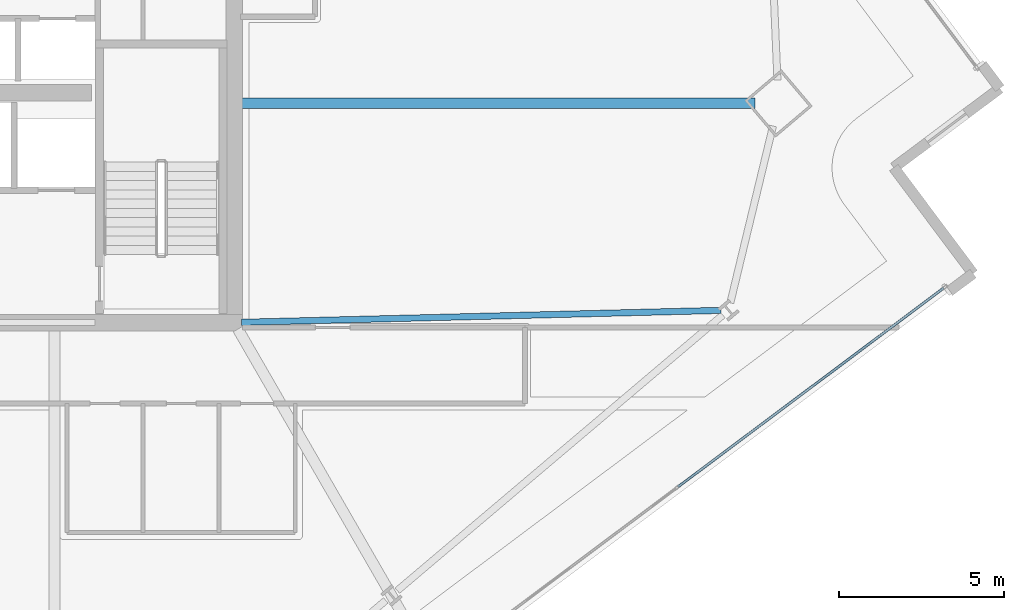
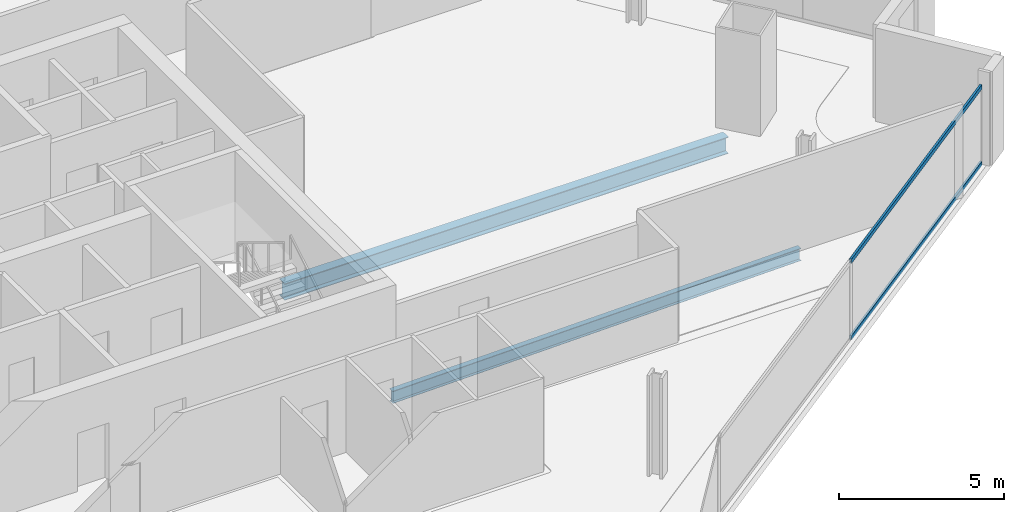
# One storey, part 10 of 32: 2 beams, 2 members, 1 element without a shape of its own.
"""IFC4 building model written with IfcOpenShell, lengths in metres."""

from ifc_helpers import new_model, si_unit, direction, frame, origin, origin_2d, place, context, subcontext, project, spatial, hollow_rectangle, i_section, extrude, material, material_profile, profile_set, type_object, element, aggregate, save


model = new_model("IFC4")

# Units and contexts
model_context = context("Model", 3, precision=1e-05, world=origin(), true_north=direction((0.0, 1.0)))
body_context = subcontext(model_context, "Body", "Model", "MODEL_VIEW")
ifc_project = project(units=[si_unit("LENGTHUNIT", "METRE"), si_unit("AREAUNIT", "SQUARE_METRE"), si_unit("VOLUMEUNIT", "CUBIC_METRE"), si_unit("PLANEANGLEUNIT", "RADIAN"), si_unit("MASSUNIT", "GRAM", prefix="KILO")], contexts=[model_context])

# Site, building, storey
site_placement = place(None, origin())
site = spatial("IfcSite", under=ifc_project, at=site_placement, CompositionType="ELEMENT")
building_placement = place(site_placement, origin())
building = spatial("IfcBuilding", under=site, at=building_placement, Name="Haldenkirk Collegiate Tower", CompositionType="ELEMENT")
storey_placement = place(building_placement, frame((0.0, 0.0, 151.949951171875)))
storey = spatial("IfcBuildingStorey", under=building, at=storey_placement, Name="L37", CompositionType="ELEMENT", Elevation=151.949951171875)

# Beams
ifc_material_1 = material(Name="Steel ASTM A992 Grade 50", Category="steel")
ifc_material_profile_1 = material_profile(ifc_material_1, i_section(OverallWidth=0.324951171875, OverallDepth=0.615966796875, WebThickness=0.013916015625, FlangeThickness=0.021484375, at=origin_2d()), Name="W24X117")
ifc_profile_set_1 = profile_set([ifc_material_profile_1], Name="Steel ASTM A992 Grade 50")
beam_type_1 = type_object("IfcBeamType", Name="BM-GIRDER-W24X117", PredefinedType="BEAM", material=ifc_profile_set_1)
beam_1_placement = place(storey_placement, frame((60.760009765625, 24.62890625, -0.597900390625), z_axis=(-1.0, 0.0, 0.0), x_axis=(0.0, -1.0, 0.0)))
element("IfcBeam", 1, at=beam_1_placement, inside=storey, type_object=beam_type_1, Name="L37 primary floor girder 02", PredefinedType="BEAM", context=body_context, shape_type="SweptSolid", body=[
    extrude(i_section(OverallWidth=0.324951171875, OverallDepth=0.615966796875, WebThickness=0.013916015625, FlangeThickness=0.021484375, at=origin_2d()), origin(), (0.0, 0.0, 1.0), 15.530029296875),
])
ifc_material_profile_2 = material_profile(ifc_material_1, i_section(OverallWidth=0.18994140625, OverallDepth=0.45703125, WebThickness=0.009033203125, FlangeThickness=0.014404296875, at=origin_2d()), Name="W18X50")
ifc_profile_set_2 = profile_set([ifc_material_profile_2], Name="Steel ASTM A992 Grade 50")
beam_type_2 = type_object("IfcBeamType", Name="BM-JOIST-W18X50", PredefinedType="JOIST", material=ifc_profile_set_2)
beam_2_placement = place(storey_placement, frame((59.727294921875, 18.3671875, -0.5185546875), z_axis=(-0.999689127321, -0.024932884215, 0.0), x_axis=(0.024932884215, -0.999689127321, 0.0)))
element("IfcBeam", 2, at=beam_2_placement, inside=storey, type_object=beam_type_2, Name="L37 composite floor joist 07", PredefinedType="JOIST", context=body_context, shape_type="SweptSolid", body=[
    extrude(i_section(OverallWidth=0.18994140625, OverallDepth=0.45703125, WebThickness=0.009033203125, FlangeThickness=0.014404296875, at=origin_2d()), origin(), (0.0, 0.0, 1.0), 14.501708984375),
])

# Curtain wall, members
ifc_material_2 = material(Name="Anodised architectural bronze aluminium", Category="aluminium")
curtain_wall_type = type_object("IfcCurtainWallType", Name="CW-SYS2-CONCAVE", PredefinedType="USERDEFINED", material=ifc_material_2)
curtain_wall_placement = place(storey_placement, origin())
curtain_wall = element("IfcCurtainWall", 3, at=curtain_wall_placement, inside=storey, type_object=curtain_wall_type, Name="L37 South concave recessed bronze-anodised curtain wall", ObjectType="UNITISED CURTAIN WALL", PredefinedType="USERDEFINED")
ifc_material_profile_3 = material_profile(ifc_material_2, hollow_rectangle(XDim=0.074951171875, YDim=0.159912109375, WallThickness=0.0048828125, at=origin_2d()), Name="CW-TRN-02")
ifc_profile_set_3 = profile_set([ifc_material_profile_3], Name="Anodised architectural bronze aluminium")
member_type = type_object("IfcMemberType", Name="CW-TRN-02", PredefinedType="USERDEFINED", material=ifc_profile_set_3)
member_1_placement = place(storey_placement, frame((66.463623046875, 19.041748046875, 0.03759765625), z_axis=(-0.800732007408, -0.599022747743, 0.0), x_axis=(0.599022747743, -0.800732007408, 0.0)))
member_1 = element("IfcMember", 4, at=member_1_placement, type_object=member_type, Name="CW-02 transom 1.1", ObjectType="TRANSOM", PredefinedType="USERDEFINED", context=body_context, shape_type="SweptSolid", body=[
    extrude(hollow_rectangle(XDim=0.074951171875, YDim=0.159912109375, WallThickness=0.0048828125, at=origin_2d()), origin(), (0.0, 0.0, 1.0), 10.03759765625),
])
member_2_placement = place(storey_placement, frame((66.463623046875, 19.041748046875, 2.87353515625), z_axis=(-0.800732007408, -0.599022747743, 0.0), x_axis=(0.599022747743, -0.800732007408, 0.0)))
member_2 = element("IfcMember", 5, at=member_2_placement, type_object=member_type, Name="CW-02 transom 1.2", ObjectType="TRANSOM", PredefinedType="USERDEFINED", context=body_context, shape_type="SweptSolid", body=[
    extrude(hollow_rectangle(XDim=0.074951171875, YDim=0.159912109375, WallThickness=0.0048828125, at=origin_2d()), origin(), (0.0, 0.0, 1.0), 10.03759765625),
])
aggregate(curtain_wall, [member_1, member_2])

save(model, "model.ifc")
